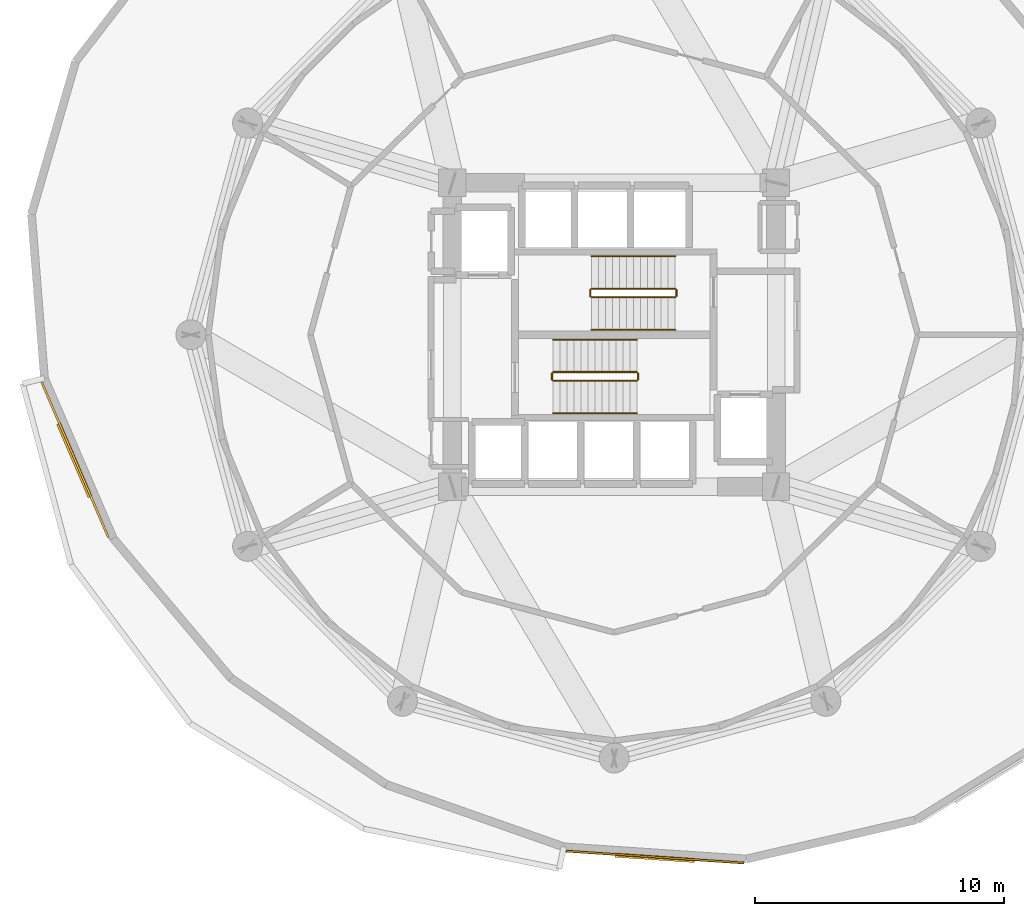
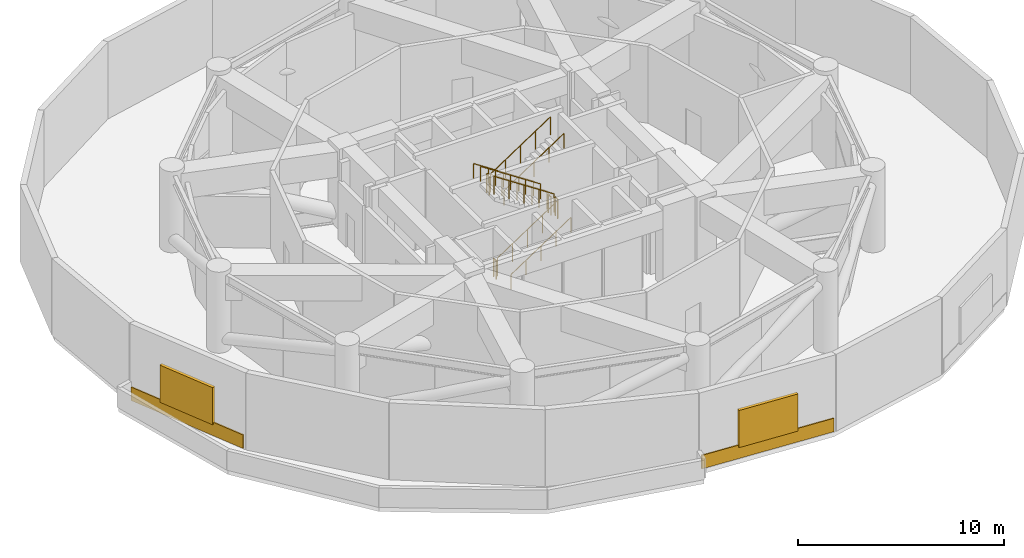
# One storey, part 5 of 6: 12 railings, 2 coverings, 2 shading devices.
"""IFC4 building model written with IfcOpenShell, lengths in metres."""

from ifc_helpers import new_model, si_unit, direction, frame, origin, origin_2d, place, context, subcontext, project, spatial, rectangle, circle, extrude, material, layer, layer_set, type_object, element, save


model = new_model("IFC4")

# Units and contexts
model_context = context("Model", 3, precision=1e-05, world=origin(), true_north=direction((0.0, 1.0)))
body_context = subcontext(model_context, "Body", "Model", "MODEL_VIEW")
ifc_project = project(units=[si_unit("LENGTHUNIT", "METRE"), si_unit("AREAUNIT", "SQUARE_METRE"), si_unit("VOLUMEUNIT", "CUBIC_METRE"), si_unit("PLANEANGLEUNIT", "RADIAN"), si_unit("MASSUNIT", "GRAM", prefix="KILO")], contexts=[model_context])

# Site, building, storey
site_placement = place(None, origin())
site = spatial("IfcSite", under=ifc_project, at=site_placement, CompositionType="ELEMENT")
building_placement = place(site_placement, origin())
building = spatial("IfcBuilding", under=site, at=building_placement, Name="Solvirekh Grand Hotel", CompositionType="ELEMENT")
storey_placement = place(building_placement, frame((0.0, 0.0, 93.199951171875)))
storey = spatial("IfcBuildingStorey", under=building, at=storey_placement, Name="L23", CompositionType="ELEMENT", Elevation=93.199951171875)

# Coverings
ifc_material_1 = material(Name="Anodized Bronze Aluminium 6063-T6", Category="aluminium")
ifc_layer_1 = layer(ifc_material_1, 0.0400390625)
ifc_layer_set_1 = layer_set([ifc_layer_1], Name="Anodized Bronze Aluminium 6063-T6")
covering_type = type_object("IfcCoveringType", Name="Cov_Cladding_Bronze", PredefinedType="CLADDING", material=ifc_layer_set_1)
covering_1_placement = place(storey_placement, frame((-21.64794921875, -5.02099609375, 0.0498046875), z_axis=(0.0, 0.0, 1.0), x_axis=(-0.394743856384, 0.918791210149, 0.0)))
element("IfcCovering", 1, at=covering_1_placement, inside=storey, type_object=covering_type, Name="L23 bronze spandrel cladding band 13", PredefinedType="CLADDING", context=body_context, shape_type="SweptSolid", body=[
    extrude(rectangle(XDim=6.7890625, YDim=0.080078125, at=origin_2d()), origin(), (0.0, 0.0, 1.0), 0.800048828125),
])
covering_2_placement = place(storey_placement, frame((1.631103515625, -20.970947265625, 0.0498046875), z_axis=(0.0, 0.0, 1.0), x_axis=(-0.997766630584, 0.066796338919, 0.0)))
element("IfcCovering", 2, at=covering_2_placement, inside=storey, type_object=covering_type, Name="L23 bronze spandrel cladding band 17", PredefinedType="CLADDING", context=body_context, shape_type="SweptSolid", body=[
    extrude(rectangle(XDim=7.14599609375, YDim=0.080078125, at=origin_2d()), origin(), (0.0, 0.0, 1.0), 0.800048828125),
])

# Railings
ifc_material_2 = material(Name="Steel S355", Category="steel")
railing_type_1 = type_object("IfcRailingType", Name="Guard_Stair_1100", PredefinedType="GUARDRAIL", material=ifc_material_2)
railing_1_placement = place(storey_placement, frame((-2.449951171875, -1.85009765625, 0.1845703125)))
element("IfcRailing", 3, at=railing_1_placement, inside=storey, type_object=railing_type_1, Name="L23 ST-1 stair guard 1", PredefinedType="GUARDRAIL", context=body_context, shape_type="SweptSolid", body=[
    extrude(circle(Radius=0.02392578125, at=origin_2d()), frame((0.0, 0.0, 1.076171875), z_axis=(0.83483021737, 0.0, 0.550507500554), x_axis=(0.0, 1.0, 0.0)), (0.0, 0.0, 1.0), 4.024658203125),
    extrude(circle(Radius=0.02099609375, at=origin_2d()), origin(), (0.0, 0.0, 1.0), 1.052001953125),
    extrude(circle(Radius=0.02099609375, at=origin_2d()), frame((0.83984375, 0.0, 0.553955078125)), (0.0, 0.0, 1.0), 1.052001953125),
    extrude(circle(Radius=0.02099609375, at=origin_2d()), frame((1.679931640625, 0.0, 1.10791015625)), (0.0, 0.0, 1.0), 1.052001953125),
    extrude(circle(Radius=0.02099609375, at=origin_2d()), frame((2.52001953125, 0.0, 1.66162109375)), (0.0, 0.0, 1.0), 1.052001953125),
    extrude(circle(Radius=0.02099609375, at=origin_2d()), frame((3.35986328125, 0.0, 2.215576171875)), (0.0, 0.0, 1.0), 1.052001953125),
])
railing_2_placement = place(storey_placement, frame((0.9599609375, -1.800048828125, 2.400146484375)))
element("IfcRailing", 4, at=railing_2_placement, inside=storey, type_object=railing_type_1, Name="L23 ST-1 stair guard 2", PredefinedType="GUARDRAIL", context=body_context, shape_type="SweptSolid", body=[
    extrude(circle(Radius=0.02392578125, at=origin_2d()), frame((0.0, 0.0, 1.076171875), z_axis=(0.0, 1.0, 0.0), x_axis=(-1.0, 0.0, 0.0)), (0.0, 0.0, 1.0), 0.25),
    extrude(circle(Radius=0.02099609375, at=origin_2d()), origin(), (0.0, 0.0, 1.0), 1.052001953125),
    extrude(circle(Radius=0.02099609375, at=origin_2d()), frame((0.0, 0.25, 0.0)), (0.0, 0.0, 1.0), 1.052001953125),
])
railing_3_placement = place(storey_placement, frame((0.909912109375, -1.5, 2.584716796875)))
element("IfcRailing", 5, at=railing_3_placement, inside=storey, type_object=railing_type_1, Name="L23 ST-1 stair guard 3", PredefinedType="GUARDRAIL", context=body_context, shape_type="SweptSolid", body=[
    extrude(circle(Radius=0.02392578125, at=origin_2d()), frame((0.0, 0.0, 1.076171875), z_axis=(-0.834858096282, 0.0, 0.550465220583), x_axis=(0.0, -1.0, 0.0)), (0.0, 0.0, 1.0), 4.0244140625),
    extrude(circle(Radius=0.02099609375, at=origin_2d()), origin(), (0.0, 0.0, 1.0), 1.052001953125),
    extrude(circle(Radius=0.02099609375, at=origin_2d()), frame((-0.83984375, 0.0, 0.5537109375)), (0.0, 0.0, 1.0), 1.052001953125),
    extrude(circle(Radius=0.02099609375, at=origin_2d()), frame((-1.679931640625, 0.0, 1.107666015625)), (0.0, 0.0, 1.0), 1.052001953125),
    extrude(circle(Radius=0.02099609375, at=origin_2d()), frame((-2.52001953125, 0.0, 1.66162109375)), (0.0, 0.0, 1.0), 1.052001953125),
    extrude(circle(Radius=0.02099609375, at=origin_2d()), frame((-3.35986328125, 0.0, 2.21533203125)), (0.0, 0.0, 1.0), 1.052001953125),
])
railing_4_placement = place(storey_placement, frame((-2.5, -1.800048828125, 0.0)))
element("IfcRailing", 6, at=railing_4_placement, inside=storey, type_object=railing_type_1, Name="L23 ST-1 stair guard 4", PredefinedType="GUARDRAIL", context=body_context, shape_type="SweptSolid", body=[
    extrude(circle(Radius=0.02392578125, at=origin_2d()), frame((0.0, 0.0, 1.076171875), z_axis=(0.0, 1.0, 0.0), x_axis=(-1.0, 0.0, 0.0)), (0.0, 0.0, 1.0), 0.25),
    extrude(circle(Radius=0.02099609375, at=origin_2d()), origin(), (0.0, 0.0, 1.0), 1.052001953125),
    extrude(circle(Radius=0.02099609375, at=origin_2d()), frame((0.0, 0.25, 0.0)), (0.0, 0.0, 1.0), 1.052001953125),
])
railing_5_placement = place(storey_placement, frame((2.449951171875, 1.85009765625, 0.1845703125)))
element("IfcRailing", 7, at=railing_5_placement, inside=storey, type_object=railing_type_1, Name="L23 ST-2 stair guard 1", PredefinedType="GUARDRAIL", context=body_context, shape_type="SweptSolid", body=[
    extrude(circle(Radius=0.02392578125, at=origin_2d()), frame((0.0, 0.0, 1.076171875), z_axis=(-0.83483021737, 0.0, 0.550507500554), x_axis=(0.0, -1.0, 0.0)), (0.0, 0.0, 1.0), 4.024658203125),
    extrude(circle(Radius=0.02099609375, at=origin_2d()), origin(), (0.0, 0.0, 1.0), 1.052001953125),
    extrude(circle(Radius=0.02099609375, at=origin_2d()), frame((-0.83984375, 0.0, 0.553955078125)), (0.0, 0.0, 1.0), 1.052001953125),
    extrude(circle(Radius=0.02099609375, at=origin_2d()), frame((-1.679931640625, 0.0, 1.10791015625)), (0.0, 0.0, 1.0), 1.052001953125),
    extrude(circle(Radius=0.02099609375, at=origin_2d()), frame((-2.52001953125, 0.0, 1.66162109375)), (0.0, 0.0, 1.0), 1.052001953125),
    extrude(circle(Radius=0.02099609375, at=origin_2d()), frame((-3.35986328125, 0.0, 2.215576171875)), (0.0, 0.0, 1.0), 1.052001953125),
])
railing_6_placement = place(storey_placement, frame((-0.9599609375, 1.800048828125, 2.400146484375)))
element("IfcRailing", 8, at=railing_6_placement, inside=storey, type_object=railing_type_1, Name="L23 ST-2 stair guard 2", PredefinedType="GUARDRAIL", context=body_context, shape_type="SweptSolid", body=[
    extrude(circle(Radius=0.02392578125, at=origin_2d()), frame((0.0, 0.0, 1.076171875), z_axis=(0.0, -1.0, 0.0), x_axis=(1.0, 0.0, 0.0)), (0.0, 0.0, 1.0), 0.25),
    extrude(circle(Radius=0.02099609375, at=origin_2d()), origin(), (0.0, 0.0, 1.0), 1.052001953125),
    extrude(circle(Radius=0.02099609375, at=origin_2d()), frame((0.0, -0.25, 0.0)), (0.0, 0.0, 1.0), 1.052001953125),
])
railing_7_placement = place(storey_placement, frame((-0.909912109375, 1.5, 2.584716796875)))
element("IfcRailing", 9, at=railing_7_placement, inside=storey, type_object=railing_type_1, Name="L23 ST-2 stair guard 3", PredefinedType="GUARDRAIL", context=body_context, shape_type="SweptSolid", body=[
    extrude(circle(Radius=0.02392578125, at=origin_2d()), frame((0.0, 0.0, 1.076171875), z_axis=(0.834858096282, 0.0, 0.550465220583), x_axis=(0.0, 1.0, 0.0)), (0.0, 0.0, 1.0), 4.0244140625),
    extrude(circle(Radius=0.02099609375, at=origin_2d()), origin(), (0.0, 0.0, 1.0), 1.052001953125),
    extrude(circle(Radius=0.02099609375, at=origin_2d()), frame((0.83984375, 0.0, 0.5537109375)), (0.0, 0.0, 1.0), 1.052001953125),
    extrude(circle(Radius=0.02099609375, at=origin_2d()), frame((1.679931640625, 0.0, 1.107666015625)), (0.0, 0.0, 1.0), 1.052001953125),
    extrude(circle(Radius=0.02099609375, at=origin_2d()), frame((2.52001953125, 0.0, 1.66162109375)), (0.0, 0.0, 1.0), 1.052001953125),
    extrude(circle(Radius=0.02099609375, at=origin_2d()), frame((3.35986328125, 0.0, 2.21533203125)), (0.0, 0.0, 1.0), 1.052001953125),
])
railing_8_placement = place(storey_placement, frame((2.5, 1.800048828125, 0.0)))
element("IfcRailing", 10, at=railing_8_placement, inside=storey, type_object=railing_type_1, Name="L23 ST-2 stair guard 4", PredefinedType="GUARDRAIL", context=body_context, shape_type="SweptSolid", body=[
    extrude(circle(Radius=0.02392578125, at=origin_2d()), frame((0.0, 0.0, 1.076171875), z_axis=(0.0, -1.0, 0.0), x_axis=(1.0, 0.0, 0.0)), (0.0, 0.0, 1.0), 0.25),
    extrude(circle(Radius=0.02099609375, at=origin_2d()), origin(), (0.0, 0.0, 1.0), 1.052001953125),
    extrude(circle(Radius=0.02099609375, at=origin_2d()), frame((0.0, -0.25, 0.0)), (0.0, 0.0, 1.0), 1.052001953125),
])
railing_type_2 = type_object("IfcRailingType", Name="Handrail_Wall_900", PredefinedType="HANDRAIL", material=ifc_material_1)
railing_9_placement = place(storey_placement, frame((-2.449951171875, -3.14990234375, 0.1845703125)))
element("IfcRailing", 11, at=railing_9_placement, inside=storey, type_object=railing_type_2, Name="L23 ST-1 stair handrail 1", PredefinedType="HANDRAIL", context=body_context, shape_type="SweptSolid", body=[
    extrude(circle(Radius=0.02392578125, at=origin_2d()), frame((0.0, 0.0, 0.8759765625), z_axis=(0.83483021737, 0.0, 0.550507500554), x_axis=(0.0, 1.0, 0.0)), (0.0, 0.0, 1.0), 4.024658203125),
    extrude(circle(Radius=0.02099609375, at=origin_2d()), origin(), (0.0, 0.0, 1.0), 0.851806640625),
    extrude(circle(Radius=0.02099609375, at=origin_2d()), frame((0.83984375, 0.0, 0.553955078125)), (0.0, 0.0, 1.0), 0.851806640625),
    extrude(circle(Radius=0.02099609375, at=origin_2d()), frame((1.679931640625, 0.0, 1.10791015625)), (0.0, 0.0, 1.0), 0.851806640625),
    extrude(circle(Radius=0.02099609375, at=origin_2d()), frame((2.52001953125, 0.0, 1.66162109375)), (0.0, 0.0, 1.0), 0.851806640625),
    extrude(circle(Radius=0.02099609375, at=origin_2d()), frame((3.35986328125, 0.0, 2.215576171875)), (0.0, 0.0, 1.0), 0.851806640625),
])
railing_10_placement = place(storey_placement, frame((0.909912109375, -0.199951171875, 2.584716796875)))
element("IfcRailing", 12, at=railing_10_placement, inside=storey, type_object=railing_type_2, Name="L23 ST-1 stair handrail 2", PredefinedType="HANDRAIL", context=body_context, shape_type="SweptSolid", body=[
    extrude(circle(Radius=0.02392578125, at=origin_2d()), frame((0.0, 0.0, 0.8759765625), z_axis=(-0.834858096282, 0.0, 0.550465220583), x_axis=(0.0, -1.0, 0.0)), (0.0, 0.0, 1.0), 4.0244140625),
    extrude(circle(Radius=0.02099609375, at=origin_2d()), origin(), (0.0, 0.0, 1.0), 0.851806640625),
    extrude(circle(Radius=0.02099609375, at=origin_2d()), frame((-0.83984375, 0.0, 0.5537109375)), (0.0, 0.0, 1.0), 0.851806640625),
    extrude(circle(Radius=0.02099609375, at=origin_2d()), frame((-1.679931640625, 0.0, 1.107666015625)), (0.0, 0.0, 1.0), 0.851806640625),
    extrude(circle(Radius=0.02099609375, at=origin_2d()), frame((-2.52001953125, 0.0, 1.66162109375)), (0.0, 0.0, 1.0), 0.851806640625),
    extrude(circle(Radius=0.02099609375, at=origin_2d()), frame((-3.35986328125, 0.0, 2.21533203125)), (0.0, 0.0, 1.0), 0.851806640625),
])
railing_11_placement = place(storey_placement, frame((2.449951171875, 3.14990234375, 0.1845703125)))
element("IfcRailing", 13, at=railing_11_placement, inside=storey, type_object=railing_type_2, Name="L23 ST-2 stair handrail 1", PredefinedType="HANDRAIL", context=body_context, shape_type="SweptSolid", body=[
    extrude(circle(Radius=0.02392578125, at=origin_2d()), frame((0.0, 0.0, 0.8759765625), z_axis=(-0.83483021737, 0.0, 0.550507500554), x_axis=(0.0, -1.0, 0.0)), (0.0, 0.0, 1.0), 4.024658203125),
    extrude(circle(Radius=0.02099609375, at=origin_2d()), origin(), (0.0, 0.0, 1.0), 0.851806640625),
    extrude(circle(Radius=0.02099609375, at=origin_2d()), frame((-0.83984375, 0.0, 0.553955078125)), (0.0, 0.0, 1.0), 0.851806640625),
    extrude(circle(Radius=0.02099609375, at=origin_2d()), frame((-1.679931640625, 0.0, 1.10791015625)), (0.0, 0.0, 1.0), 0.851806640625),
    extrude(circle(Radius=0.02099609375, at=origin_2d()), frame((-2.52001953125, 0.0, 1.66162109375)), (0.0, 0.0, 1.0), 0.851806640625),
    extrude(circle(Radius=0.02099609375, at=origin_2d()), frame((-3.35986328125, 0.0, 2.215576171875)), (0.0, 0.0, 1.0), 0.851806640625),
])
railing_12_placement = place(storey_placement, frame((-0.909912109375, 0.199951171875, 2.584716796875)))
element("IfcRailing", 14, at=railing_12_placement, inside=storey, type_object=railing_type_2, Name="L23 ST-2 stair handrail 2", PredefinedType="HANDRAIL", context=body_context, shape_type="SweptSolid", body=[
    extrude(circle(Radius=0.02392578125, at=origin_2d()), frame((0.0, 0.0, 0.8759765625), z_axis=(0.834858096282, 0.0, 0.550465220583), x_axis=(0.0, 1.0, 0.0)), (0.0, 0.0, 1.0), 4.0244140625),
    extrude(circle(Radius=0.02099609375, at=origin_2d()), origin(), (0.0, 0.0, 1.0), 0.851806640625),
    extrude(circle(Radius=0.02099609375, at=origin_2d()), frame((0.83984375, 0.0, 0.5537109375)), (0.0, 0.0, 1.0), 0.851806640625),
    extrude(circle(Radius=0.02099609375, at=origin_2d()), frame((1.679931640625, 0.0, 1.107666015625)), (0.0, 0.0, 1.0), 0.851806640625),
    extrude(circle(Radius=0.02099609375, at=origin_2d()), frame((2.52001953125, 0.0, 1.66162109375)), (0.0, 0.0, 1.0), 0.851806640625),
    extrude(circle(Radius=0.02099609375, at=origin_2d()), frame((3.35986328125, 0.0, 2.21533203125)), (0.0, 0.0, 1.0), 0.851806640625),
])

# Shading devices
ifc_layer_2 = layer(ifc_material_1, 0.1201171875)
ifc_layer_set_2 = layer_set([ifc_layer_2], Name="Anodized Bronze Aluminium 6063-T6")
shading_device_type = type_object("IfcShadingDeviceType", Name="Shade_PlantLouvre", PredefinedType="JALOUSIE", material=ifc_layer_set_2)
for number, where, z_axis, x_axis, name in (
    (15, (-21.675048828125, -5.032958984375, 0.75), (0.0, 0.0, 1.0), (-0.394743856384, 0.918791210149, 0.0), "L23 anodized bronze plant intake louvre 13"),
    (16, (1.62890625, -21.0009765625, 0.75), (0.0, 0.0, 1.0), (-0.997766630584, 0.066796338919, 0.0), "L23 anodized bronze plant intake louvre 17"),
):
    element("IfcShadingDevice", number, at=place(storey_placement, frame(where, z_axis=z_axis, x_axis=x_axis)), inside=storey, type_object=shading_device_type, Name=name, PredefinedType="JALOUSIE", context=body_context, shape_type="SweptSolid", body=[
        extrude(rectangle(XDim=3.199951171875, YDim=0.179931640625, at=origin_2d()), origin(), (0.0, 0.0, 1.0), 2.199951171875),
    ])

save(model, "model.ifc")
